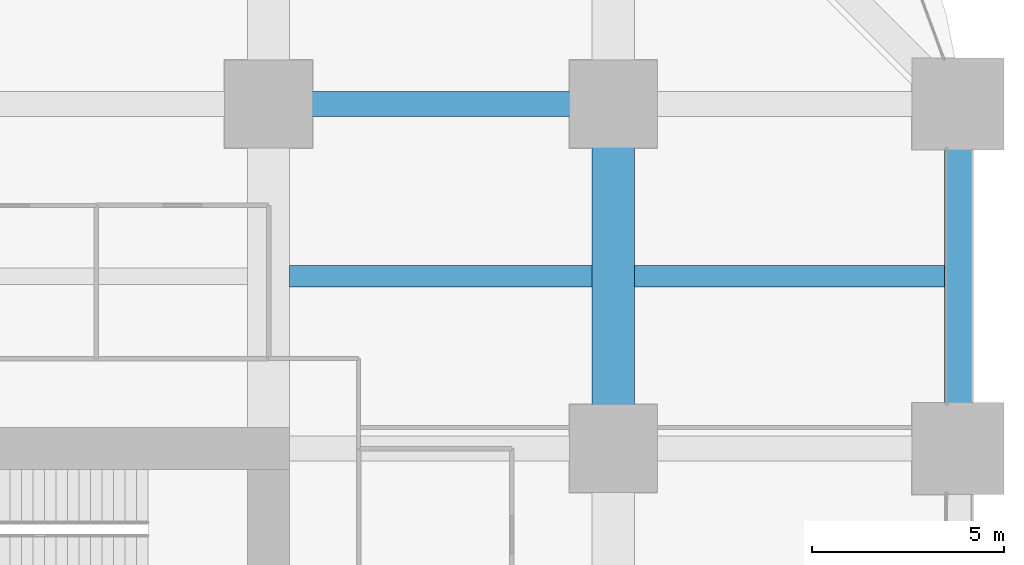
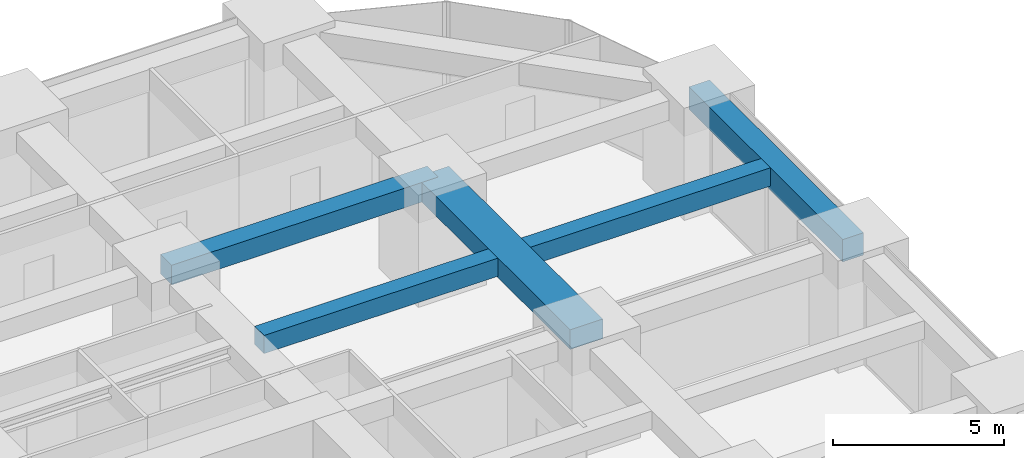
# One storey, part 33 of 45: 5 beams.
"""IFC4 building model written with IfcOpenShell, lengths in metres."""

from ifc_helpers import new_model, si_unit, direction, frame, origin, origin_2d, place, context, subcontext, project, spatial, rectangle, extrude, material, material_profile, profile_set, type_object, element, save


model = new_model("IFC4")

# Units and contexts
model_context = context("Model", 3, precision=1e-05, world=origin(), true_north=direction((0.0, 1.0)))
body_context = subcontext(model_context, "Body", "Model", "MODEL_VIEW")
ifc_project = project(units=[si_unit("LENGTHUNIT", "METRE"), si_unit("AREAUNIT", "SQUARE_METRE"), si_unit("VOLUMEUNIT", "CUBIC_METRE"), si_unit("PLANEANGLEUNIT", "RADIAN"), si_unit("MASSUNIT", "GRAM", prefix="KILO")], contexts=[model_context])

# Site, building, storey
site_placement = place(None, origin())
site = spatial("IfcSite", under=ifc_project, at=site_placement, CompositionType="ELEMENT")
building_placement = place(site_placement, origin())
building = spatial("IfcBuilding", under=site, at=building_placement, Name="Zorevar Civic Tower", CompositionType="ELEMENT")
storey_placement = place(building_placement, frame((0.0, 0.0, 39.800048828125)))
storey = spatial("IfcBuildingStorey", under=building, at=storey_placement, Name="L09", CompositionType="ELEMENT", Elevation=39.800048828125)

# Beams
ifc_material_1 = material(Name="Concrete C50/60", Category="concrete")
ifc_material_profile_1 = material_profile(ifc_material_1, rectangle(XDim=1.10009765625, YDim=0.699951171875, at=origin_2d()), Name="RC 1100x700")
ifc_profile_set_1 = profile_set([ifc_material_profile_1], Name="Concrete C50/60")
beam_type_1 = type_object("IfcBeamType", Name="Beam RC 1100x700", PredefinedType="BEAM", material=ifc_profile_set_1)
beam_1_placement = place(storey_placement, frame((54.0, 36.0, 3.39990234375), z_axis=(0.0, 1.0, 0.0), x_axis=(-1.0, 0.0, 0.0)))
element("IfcBeam", 1, at=beam_1_placement, inside=storey, type_object=beam_type_1, Name="Girder L10", PredefinedType="BEAM", context=body_context, shape_type="SweptSolid", body=[
    extrude(rectangle(XDim=1.10009765625, YDim=0.699951171875, at=origin_2d()), origin(), (0.0, 0.0, 1.0), 9.0),
])
ifc_material_2 = material(Name="Concrete C50/60", Category="concrete")
ifc_material_profile_2 = material_profile(ifc_material_2, rectangle(XDim=0.550048828125, YDim=0.64990234375, at=origin_2d()), Name="RC 550x650")
ifc_profile_set_2 = profile_set([ifc_material_profile_2], Name="Concrete C50/60")
beam_type_2 = type_object("IfcBeamType", Name="Beam RC 550x650", PredefinedType="BEAM", material=ifc_profile_set_2)
beam_2_placement = place(storey_placement, frame((45.550048828125, 40.5, 3.425048828125), z_axis=(1.0, 0.0, 0.0), x_axis=(0.0, 1.0, 0.0)))
element("IfcBeam", 2, at=beam_2_placement, inside=storey, type_object=beam_type_2, Name="Secondary beam L10", PredefinedType="BEAM", context=body_context, shape_type="SweptSolid", body=[
    extrude(rectangle(XDim=0.550048828125, YDim=0.64990234375, at=origin_2d()), origin(), (0.0, 0.0, 1.0), 7.89990234375),
])
beam_3_placement = place(storey_placement, frame((54.550048828125, 40.5, 3.425048828125), z_axis=(1.0, 0.0, 0.0), x_axis=(0.0, 1.0, 0.0)))
element("IfcBeam", 3, at=beam_3_placement, inside=storey, type_object=beam_type_2, Name="Secondary beam L10", PredefinedType="BEAM", context=body_context, shape_type="SweptSolid", body=[
    extrude(rectangle(XDim=0.550048828125, YDim=0.64990234375, at=origin_2d()), origin(), (0.0, 0.0, 1.0), 8.099853515625),
])
ifc_material_3 = material(Name="Concrete C50/60", Category="concrete")
ifc_material_profile_3 = material_profile(ifc_material_3, rectangle(XDim=0.64990234375, YDim=0.699951171875, at=origin_2d()), Name="RC 650x700")
ifc_profile_set_3 = profile_set([ifc_material_profile_3], Name="Concrete C50/60")
beam_type_3 = type_object("IfcBeamType", Name="Beam RC 650x700", PredefinedType="BEAM", material=ifc_profile_set_3)
beam_4_placement = place(storey_placement, frame((45.0, 45.0, 3.39990234375), z_axis=(1.0, 0.0, 0.0), x_axis=(0.0, 1.0, 0.0)))
element("IfcBeam", 4, at=beam_4_placement, inside=storey, type_object=beam_type_3, Name="Girder L10", PredefinedType="BEAM", context=body_context, shape_type="SweptSolid", body=[
    extrude(rectangle(XDim=0.64990234375, YDim=0.699951171875, at=origin_2d()), origin(), (0.0, 0.0, 1.0), 9.0),
])
ifc_material_4 = material(Name="Concrete C50/60", Category="concrete")
ifc_material_profile_4 = material_profile(ifc_material_4, rectangle(XDim=0.699951171875, YDim=0.800048828125, at=origin_2d()), Name="RC 700x800")
ifc_profile_set_4 = profile_set([ifc_material_profile_4], Name="Concrete C50/60")
beam_type_4 = type_object("IfcBeamType", Name="Edge beam RC 700x800", PredefinedType="SPANDREL", material=ifc_profile_set_4)
beam_5_placement = place(storey_placement, frame((63.0, 36.0, 3.349853515625), z_axis=(0.0, 1.0, 0.0), x_axis=(-1.0, 0.0, 0.0)))
element("IfcBeam", 5, at=beam_5_placement, inside=storey, type_object=beam_type_4, Name="Edge beam L10", PredefinedType="SPANDREL", context=body_context, shape_type="SweptSolid", body=[
    extrude(rectangle(XDim=0.699951171875, YDim=0.800048828125, at=origin_2d()), origin(), (0.0, 0.0, 1.0), 9.0),
])

save(model, "model.ifc")
